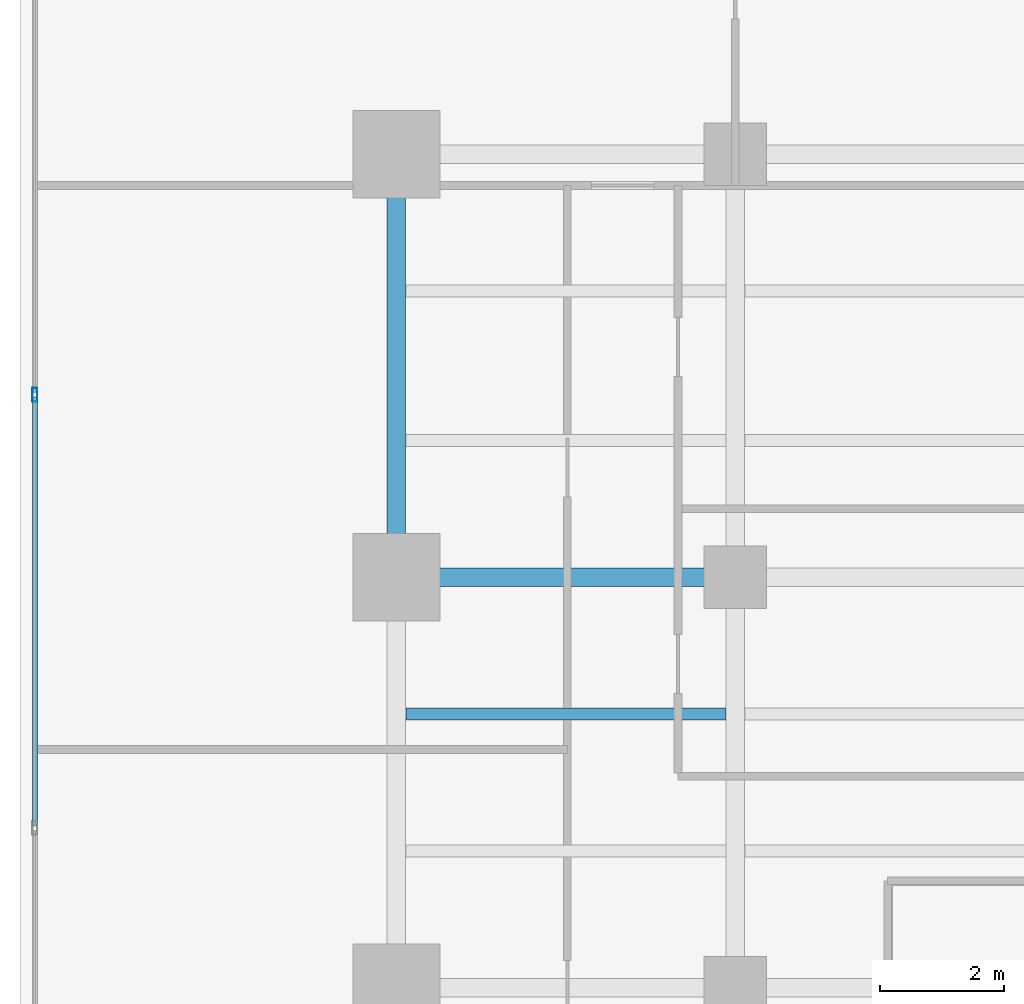
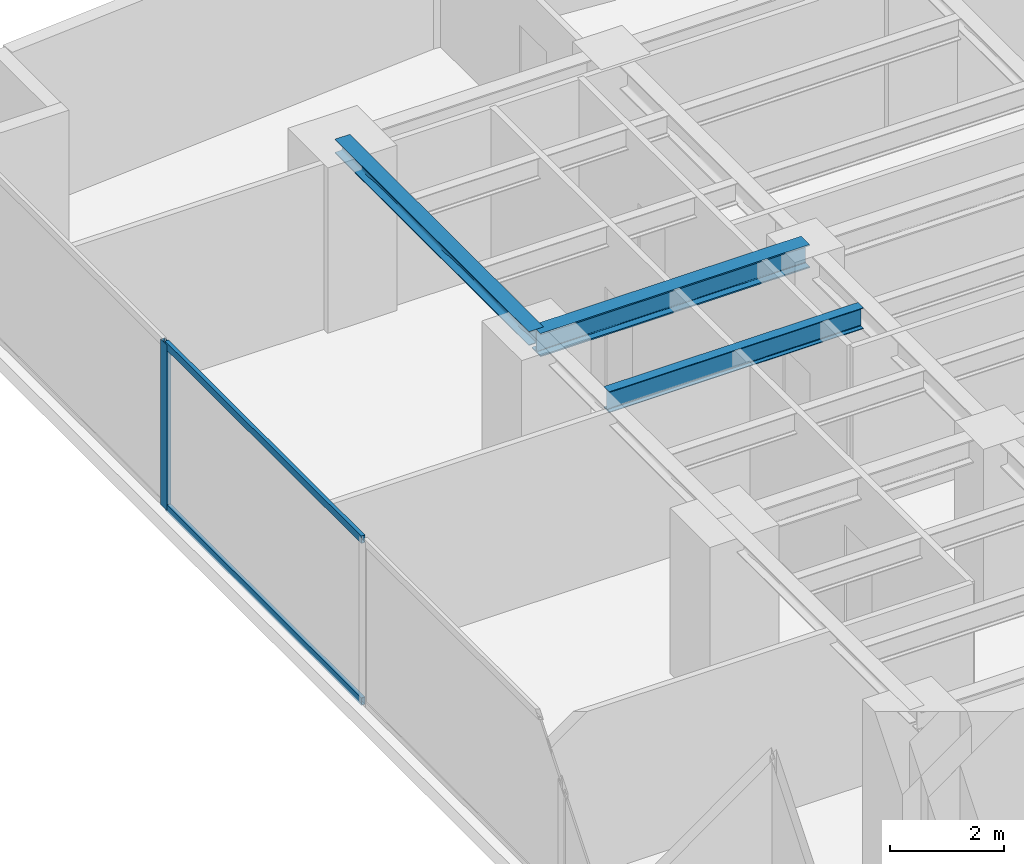
# One storey, part 14 of 26: 3 beams, 3 members, 1 element without a shape of its own.
"""IFC4 building model written with IfcOpenShell, lengths in metres."""

import ifcopenshell
import ifcopenshell.guid

model = None  # the IFC model being written
_history = None  # IfcOwnerHistory: only IFC2X3 demands one
_inside = {}  # id of a spatial element -> (the spatial element, [elements in it])
_under = {}  # id of a project, library or spatial element -> (it, [spatial elements below it])
_declared = {}  # id of a project -> (the project, [libraries it declares])
_typed = {}  # id of a type object -> (the type object, [elements of that type])
_made_of = {}  # id of a material, layer set ... -> (it, [elements and type objects made of it])


def new_model(schema):
    """Start an empty IFC model of exactly this schema.

    Asked for "IFC4X3", IfcOpenShell would pick the latest addendum, in which some entities
    have other attributes; the version numbers below select the first issue.
    IFC2X3 requires an IfcOwnerHistory on every rooted entity: one is made here for all.
    """
    global model, _history
    if schema == "IFC4X3":
        model = ifcopenshell.file(schema_version=(4, 3, 0, 0))
    else:
        model = ifcopenshell.file(schema=schema)
    _inside.clear()
    _under.clear()
    _declared.clear()
    _typed.clear()
    _made_of.clear()
    _history = None
    if model.schema == "IFC2X3":
        org = make("IfcOrganization", Name="unknown")
        user = make(
            "IfcPersonAndOrganization",
            ThePerson=make("IfcPerson", FamilyName="unknown"),
            TheOrganization=org,
        )
        app = make(
            "IfcApplication",
            ApplicationDeveloper=org,
            Version="unknown",
            ApplicationFullName="unknown",
            ApplicationIdentifier="unknown",
        )
        _history = make(
            "IfcOwnerHistory",
            OwningUser=user,
            OwningApplication=app,
            ChangeAction="ADDED",
            CreationDate=0,
        )
    return model


def make(cls, **values):
    """One entity of the class cls with the attributes given. An attribute that is None is left unset."""
    return model.create_entity(
        cls, **{name: value for name, value in values.items() if value is not None}
    )


def rooted(cls, **values):
    """An entity with a GlobalId (a new one), such as an element, a storey or a relation."""
    return make(cls, GlobalId=ifcopenshell.guid.new(), OwnerHistory=_history, **values)


def si_unit(unit_type, name, prefix=None):
    """IfcSIUnit, for example si_unit("LENGTHUNIT", "METRE", prefix="MILLI")."""
    return make("IfcSIUnit", UnitType=unit_type, Prefix=prefix, Name=name)


def assignment(units):
    """IfcUnitAssignment: the units of a project."""
    return None if units is None else make("IfcUnitAssignment", Units=units)


def point(xyz):
    """IfcCartesianPoint."""
    return None if xyz is None else make("IfcCartesianPoint", Coordinates=xyz)


def direction(xyz):
    """IfcDirection."""
    return None if xyz is None else make("IfcDirection", DirectionRatios=xyz)


def frame(location, z_axis=None, x_axis=None):
    """IfcAxis2Placement3D, a coordinate frame: its origin and axes. An axis left out is left unset."""
    return make(
        "IfcAxis2Placement3D",
        Location=point(location),
        Axis=direction(z_axis),
        RefDirection=direction(x_axis),
    )


def frame_2d(location, x_axis=None):
    """IfcAxis2Placement2D, a coordinate frame in the plane: its origin and x axis."""
    return make(
        "IfcAxis2Placement2D", Location=point(location), RefDirection=direction(x_axis)
    )


def origin():
    """The frame at (0, 0, 0) with its axes left unset."""
    return frame((0.0, 0.0, 0.0))


def origin_with_axes():
    """The frame at (0, 0, 0) with the z axis (0, 0, 1) and the x axis (1, 0, 0) written out."""
    return frame((0.0, 0.0, 0.0), z_axis=(0.0, 0.0, 1.0), x_axis=(1.0, 0.0, 0.0))


def origin_2d():
    """The frame at (0, 0) in the plane with its x axis left unset."""
    return frame_2d((0.0, 0.0))


def place(relative_to, where):
    """IfcLocalPlacement: puts the frame where relative to a parent placement (None: the world)."""
    return make(
        "IfcLocalPlacement", PlacementRelTo=relative_to, RelativePlacement=where
    )


def context(
    kind, dimensions, precision=None, world=None, true_north=None, identifier=None
):
    """IfcGeometricRepresentationContext, for example the 3D "Model" context."""
    return make(
        "IfcGeometricRepresentationContext",
        ContextIdentifier=identifier,
        ContextType=kind,
        CoordinateSpaceDimension=dimensions,
        Precision=precision,
        WorldCoordinateSystem=world,
        TrueNorth=true_north,
    )


def subcontext(parent, identifier, kind, view, scale=None):
    """IfcGeometricRepresentationSubContext, for example "Body" below "Model"."""
    return make(
        "IfcGeometricRepresentationSubContext",
        ContextIdentifier=identifier,
        ContextType=kind,
        ParentContext=parent,
        TargetScale=scale,
        TargetView=view,
    )


def project(units=None, contexts=None):
    """IfcProject with its units and contexts."""
    return rooted(
        "IfcProject",
        Name="project",
        RepresentationContexts=contexts,
        UnitsInContext=assignment(units),
    )


def spatial(cls, under=None, at=None, **own):
    """A site, building, storey or space (cls), placed at a placement, below another one or the project."""
    s = rooted(cls, ObjectPlacement=at, **own)
    if under is not None:
        _under.setdefault(under.id(), (under, []))[1].append(s)
    return s


def profile(cls, at=None, kind="AREA", **sizes):
    """A parametric profile (cls). Its sizes go by their IFC names, for example OverallWidth=200.0."""
    return make(cls, ProfileType=kind, Position=at, **sizes)


def hollow_rectangle(**sizes):
    """IfcRectangleHollowProfileDef."""
    return profile("IfcRectangleHollowProfileDef", **sizes)


def i_section(**sizes):
    """IfcIShapeProfileDef."""
    return profile("IfcIShapeProfileDef", **sizes)


def extrude(swept, where, along, depth):
    """IfcExtrudedAreaSolid: the profile swept, set in the frame where, extruded along a direction by depth."""
    return make(
        "IfcExtrudedAreaSolid",
        SweptArea=swept,
        Position=where,
        ExtrudedDirection=direction(along),
        Depth=depth,
    )


def shape(context_of_items, identifier, shape_type, items):
    """IfcShapeRepresentation: the items that make up one representation, for example the "Body"."""
    return make(
        "IfcShapeRepresentation",
        ContextOfItems=context_of_items,
        RepresentationIdentifier=identifier,
        RepresentationType=shape_type,
        Items=items,
    )


def source(mapping_origin, context_of_items, identifier, shape_type, items):
    """IfcRepresentationMap: a shape defined once, which mapped items show again and again."""
    return make(
        "IfcRepresentationMap",
        MappingOrigin=mapping_origin,
        MappedRepresentation=shape(context_of_items, identifier, shape_type, items),
    )


def transform(
    local_origin,
    x_axis=None,
    y_axis=None,
    z_axis=None,
    scale=None,
    scale2=None,
    scale3=None,
    uniform=True,
):
    """IfcCartesianTransformationOperator3D, or its non-uniform kind. x_axis, y_axis, z_axis: its Axis1, 2, 3."""
    if uniform:
        return make(
            "IfcCartesianTransformationOperator3D",
            Axis1=direction(x_axis),
            Axis2=direction(y_axis),
            LocalOrigin=point(local_origin),
            Scale=scale,
            Axis3=direction(z_axis),
        )
    return make(
        "IfcCartesianTransformationOperator3DnonUniform",
        Axis1=direction(x_axis),
        Axis2=direction(y_axis),
        LocalOrigin=point(local_origin),
        Scale=scale,
        Axis3=direction(z_axis),
        Scale2=scale2,
        Scale3=scale3,
    )


def mapped(mapping_source, mapping_target):
    """IfcMappedItem: shows the shape of a source again, moved by a transform."""
    return make(
        "IfcMappedItem", MappingSource=mapping_source, MappingTarget=mapping_target
    )


def material(Name=None, Category=None):
    """IfcMaterial."""
    return make("IfcMaterial", Name=Name, Category=Category)


def layer(
    of_material, thickness, ventilated=None, Name=None, Category=None, Priority=None
):
    """IfcMaterialLayer: one layer of a wall or slab, of a material (None: an air gap)."""
    return make(
        "IfcMaterialLayer",
        Material=of_material,
        LayerThickness=thickness,
        IsVentilated=ventilated,
        Name=Name,
        Category=Category,
        Priority=Priority,
    )


def layer_set(layers, Name=None):
    """IfcMaterialLayerSet."""
    return make("IfcMaterialLayerSet", MaterialLayers=layers, LayerSetName=Name)


def material_profile(
    of_material, cross_section, Name=None, Category=None, Priority=None
):
    """IfcMaterialProfile: a cross section and its material."""
    return make(
        "IfcMaterialProfile",
        Name=Name,
        Material=of_material,
        Profile=cross_section,
        Priority=Priority,
        Category=Category,
    )


def profile_set(profiles, Name=None, composite=None):
    """IfcMaterialProfileSet."""
    return make(
        "IfcMaterialProfileSet",
        Name=Name,
        MaterialProfiles=profiles,
        CompositeProfile=composite,
    )


def made_of(thing, what):
    """Note that an element or type object is made of a material, layer set ...; save() writes the relation."""
    if what is not None:
        _made_of.setdefault(what.id(), (what, []))[1].append(thing)
    return thing


def type_object(cls, material=None, **own):
    """A type object (cls), such as IfcWallType, which elements share."""
    return made_of(rooted(cls, **own), material)


def element(
    cls,
    number,
    at=None,
    inside=None,
    cuts=None,
    type_object=None,
    material=None,
    context=None,
    identifier="Body",
    shape_type=None,
    held_by="IfcProductDefinitionShape",
    body=None,
    shapes=None,
    **own,
):
    """One element of the class cls, such as IfcWall. Its Tag is "e" and its number.

    at: its placement. inside: the storey or other place that contains it. cuts: it is an
    opening in that element (IfcRelVoidsElement). A single representation is given by context,
    identifier, shape_type and body (its items); several are given by shapes. held_by: the class
    of the entity that holds the representations. save() writes the other relations.
    """
    e = rooted(cls, Tag="e%d" % number, ObjectPlacement=at, **own)
    if body is not None:
        shapes = [shape(context, identifier, shape_type, body)]
    if shapes is not None:
        e.Representation = make(held_by, Representations=shapes)
    if inside is not None:
        _inside.setdefault(inside.id(), (inside, []))[1].append(e)
    if cuts is not None:
        rooted(
            "IfcRelVoidsElement", RelatingBuildingElement=cuts, RelatedOpeningElement=e
        )
    if type_object is not None:
        _typed.setdefault(type_object.id(), (type_object, []))[1].append(e)
    return made_of(e, material)


def aggregate(whole, parts):
    """IfcRelAggregates: a whole, such as a stair, and the parts it consists of."""
    return rooted("IfcRelAggregates", RelatingObject=whole, RelatedObjects=parts)


def save(model, path):
    """Write the relations noted so far, then the file.

    IfcRelAggregates (storeys below a building ...), IfcRelContainedInSpatialStructure (elements
    in a storey), IfcRelDefinesByType, IfcRelAssociatesMaterial and IfcRelDeclares: one each for
    every whole, place, type object, material and project.
    """
    for whole, parts in _under.values():
        aggregate(whole, parts)
    for where, things in _inside.values():
        rooted(
            "IfcRelContainedInSpatialStructure",
            RelatedElements=things,
            RelatingStructure=where,
        )
    for kind, things in _typed.values():
        rooted("IfcRelDefinesByType", RelatedObjects=things, RelatingType=kind)
    for what, things in _made_of.values():
        rooted("IfcRelAssociatesMaterial", RelatedObjects=things, RelatingMaterial=what)
    for by, libraries in _declared.values():
        rooted("IfcRelDeclares", RelatingContext=by, RelatedDefinitions=libraries)
    model.write(path)


model = new_model("IFC4")

# Units and contexts
model_context = context("Model", 3, precision=1e-05, world=origin(), true_north=direction((0.0, 1.0)))
body_context = subcontext(model_context, "Body", "Model", "MODEL_VIEW")
ifc_project = project(units=[si_unit("LENGTHUNIT", "METRE"), si_unit("AREAUNIT", "SQUARE_METRE"), si_unit("VOLUMEUNIT", "CUBIC_METRE"), si_unit("PLANEANGLEUNIT", "RADIAN"), si_unit("MASSUNIT", "GRAM", prefix="KILO")], contexts=[model_context])

# Site, building, storey
site_placement = place(None, origin())
site = spatial("IfcSite", under=ifc_project, at=site_placement, CompositionType="ELEMENT")
building_placement = place(site_placement, origin())
building = spatial("IfcBuilding", under=site, at=building_placement, Name="Kolvaren Waterfront Exchange", CompositionType="ELEMENT")
storey_placement = place(building_placement, frame((0.0, 0.0, 110.699951171875)))
storey = spatial("IfcBuildingStorey", under=building, at=storey_placement, Name="L28", CompositionType="ELEMENT", Elevation=110.699951171875)

# Beams
ifc_material_1 = material(Name="Steel S355", Category="steel")
ifc_material_profile_1 = material_profile(ifc_material_1, i_section(OverallWidth=0.300048828125, OverallDepth=0.300048828125, WebThickness=0.010986328125, FlangeThickness=0.01904296875, FilletRadius=0.027099609375, at=origin_2d()), Name="HEB300")
ifc_profile_set_1 = profile_set([ifc_material_profile_1], Name="Steel S355")
beam_type_1 = type_object("IfcBeamType", Name="STR-BM-HEB300", PredefinedType="SPANDREL", material=ifc_profile_set_1)
beam_1_placement = place(storey_placement, frame((7.449951171875, 37.800048828125, 3.39013671875), z_axis=(0.0, 1.0, 0.0), x_axis=(-1.0, 0.0, 0.0)))
element("IfcBeam", 1, at=beam_1_placement, inside=storey, type_object=beam_type_1, Name="L28 north-arm edge beam 3", PredefinedType="SPANDREL", context=body_context, shape_type="SweptSolid", body=[
    extrude(i_section(OverallWidth=0.300048828125, OverallDepth=0.300048828125, WebThickness=0.010986328125, FlangeThickness=0.01904296875, FilletRadius=0.027099609375, at=origin_2d()), origin(), (0.0, 0.0, 1.0), 6.800048828125),
])
ifc_material_profile_2 = material_profile(ifc_material_1, i_section(OverallWidth=0.300048828125, OverallDepth=0.5, WebThickness=0.014404296875, FlangeThickness=0.028076171875, FilletRadius=0.027099609375, at=origin_2d()), Name="HEB500")
ifc_profile_set_2 = profile_set([ifc_material_profile_2], Name="Steel S355")
beam_type_2 = type_object("IfcBeamType", Name="STR-BM-HEB500", PredefinedType="BEAM", material=ifc_profile_set_2)
beam_2_placement = place(storey_placement, frame((7.449951171875, 37.800048828125, 3.2900390625), z_axis=(1.0, 0.0, 0.0), x_axis=(0.0, 1.0, 0.0)))
element("IfcBeam", 2, at=beam_2_placement, inside=storey, type_object=beam_type_2, Name="L28 north-arm girder 3A", PredefinedType="BEAM", context=body_context, shape_type="SweptSolid", body=[
    extrude(i_section(OverallWidth=0.300048828125, OverallDepth=0.5, WebThickness=0.014404296875, FlangeThickness=0.028076171875, FilletRadius=0.027099609375, at=origin_2d()), origin(), (0.0, 0.0, 1.0), 5.449951171875),
])
ifc_material_profile_3 = material_profile(ifc_material_1, i_section(OverallWidth=0.18994140625, OverallDepth=0.449951171875, WebThickness=0.009521484375, FlangeThickness=0.0146484375, FilletRadius=0.02099609375, at=origin_2d()), Name="IPE450")
ifc_profile_set_3 = profile_set([ifc_material_profile_3], Name="Steel S355")
beam_type_3 = type_object("IfcBeamType", Name="STR-BM-IPE450", PredefinedType="JOIST", material=ifc_profile_set_3)
beam_3_placement = place(storey_placement, frame((7.60205078125, 35.60009765625, 3.31494140625), z_axis=(1.0, 0.0, 0.0), x_axis=(0.0, 1.0, 0.0)))
element("IfcBeam", 3, at=beam_3_placement, inside=storey, type_object=beam_type_3, Name="L28 north-arm composite joist 4A", PredefinedType="JOIST", context=body_context, shape_type="SweptSolid", body=[
    extrude(i_section(OverallWidth=0.18994140625, OverallDepth=0.449951171875, WebThickness=0.009521484375, FlangeThickness=0.0146484375, FilletRadius=0.02099609375, at=origin_2d()), origin(), (0.0, 0.0, 1.0), 5.14599609375),
])

# Curtain wall, members
ifc_material_2 = material(Name="Anodised aluminium 6063-T6", Category="aluminium")
ifc_layer = layer(ifc_material_2, 0.219970703125, Name="Anodised aluminium 6063-T6")
ifc_layer_set = layer_set([ifc_layer], Name="Anodised aluminium 6063-T6")
curtain_wall_type = type_object("IfcCurtainWallType", Name="ARC-CW-SYS2", PredefinedType="USERDEFINED", material=ifc_layer_set)
curtain_wall_placement = place(storey_placement, origin())
curtain_wall = element("IfcCurtainWall", 4, at=curtain_wall_placement, inside=storey, type_object=curtain_wall_type, Name="L28 stick curtain wall CW2 (CW-L28-W)", ObjectType="STICK CURTAIN WALL", PredefinedType="USERDEFINED")
ifc_material_profile_4 = material_profile(ifc_material_2, hollow_rectangle(XDim=0.080078125, YDim=0.219970703125, WallThickness=0.0048828125, at=origin_2d()), Name="ALU-MUL-220x80x5")
ifc_profile_set_4 = profile_set([ifc_material_profile_4], Name="Anodised aluminium 6063-T6")
member_type_1 = type_object("IfcMemberType", Name="ARC-CWM-220", PredefinedType="MULLION", material=ifc_profile_set_4)
shared_shape_1 = source(origin_with_axes(), body_context, "Body", "SweptSolid", [
    extrude(hollow_rectangle(XDim=0.080078125, YDim=0.219970703125, WallThickness=0.0048828125, at=origin_2d()), origin(), (0.0, 0.0, 1.0), 3.5400390625),
])
member_1_placement = place(storey_placement, frame((1.639892578125, 40.7333984375, 0.0), z_axis=(0.0, 0.0, 1.0), x_axis=(-1.0, 0.0, 0.0)))
member_1 = element("IfcMember", 5, at=member_1_placement, type_object=member_type_1, Name="CW2 mullion 6", PredefinedType="MULLION", context=body_context, shape_type="MappedRepresentation", body=[
    mapped(shared_shape_1, transform((0.0, 0.0, 0.0), x_axis=(1.0, 0.0, 0.0), y_axis=(0.0, 1.0, 0.0), z_axis=(0.0, 0.0, 1.0), scale=1.0)),
])
ifc_material_profile_5 = material_profile(ifc_material_2, hollow_rectangle(XDim=0.074951171875, YDim=0.159912109375, WallThickness=0.00439453125, at=origin_2d()), Name="ALU-TRN-160x75x4.5")
ifc_profile_set_5 = profile_set([ifc_material_profile_5], Name="Anodised aluminium 6063-T6")
member_type_2 = type_object("IfcMemberType", Name="ARC-CWT-160", PredefinedType="USERDEFINED", material=ifc_profile_set_5)
shared_shape_2 = source(origin_with_axes(), body_context, "Body", "SweptSolid", [
    extrude(hollow_rectangle(XDim=0.074951171875, YDim=0.159912109375, WallThickness=0.00439453125, at=origin_2d()), origin(), (0.0, 0.0, 1.0), 6.88671875),
])
member_2_placement = place(storey_placement, frame((1.639892578125, 33.806640625, 0.03759765625), z_axis=(0.0, 1.0, 0.0), x_axis=(-1.0, 0.0, 0.0)))
member_2 = element("IfcMember", 6, at=member_2_placement, type_object=member_type_2, Name="CW2 transom 5.1", ObjectType="TRANSOM", PredefinedType="USERDEFINED", context=body_context, shape_type="MappedRepresentation", body=[
    mapped(shared_shape_2, transform((0.0, 0.0, 0.0), x_axis=(1.0, 0.0, 0.0), y_axis=(0.0, 1.0, 0.0), z_axis=(0.0, 0.0, 1.0), scale=1.0)),
])
member_3_placement = place(storey_placement, frame((1.639892578125, 33.806640625, 3.50244140625), z_axis=(0.0, 1.0, 0.0), x_axis=(-1.0, 0.0, 0.0)))
member_3 = element("IfcMember", 7, at=member_3_placement, type_object=member_type_2, Name="CW2 transom 5.2", ObjectType="TRANSOM", PredefinedType="USERDEFINED", context=body_context, shape_type="MappedRepresentation", body=[
    mapped(shared_shape_2, transform((0.0, 0.0, 0.0), x_axis=(1.0, 0.0, 0.0), y_axis=(0.0, 1.0, 0.0), z_axis=(0.0, 0.0, 1.0), scale=1.0)),
])
aggregate(curtain_wall, [member_1, member_2, member_3])

save(model, "model.ifc")
